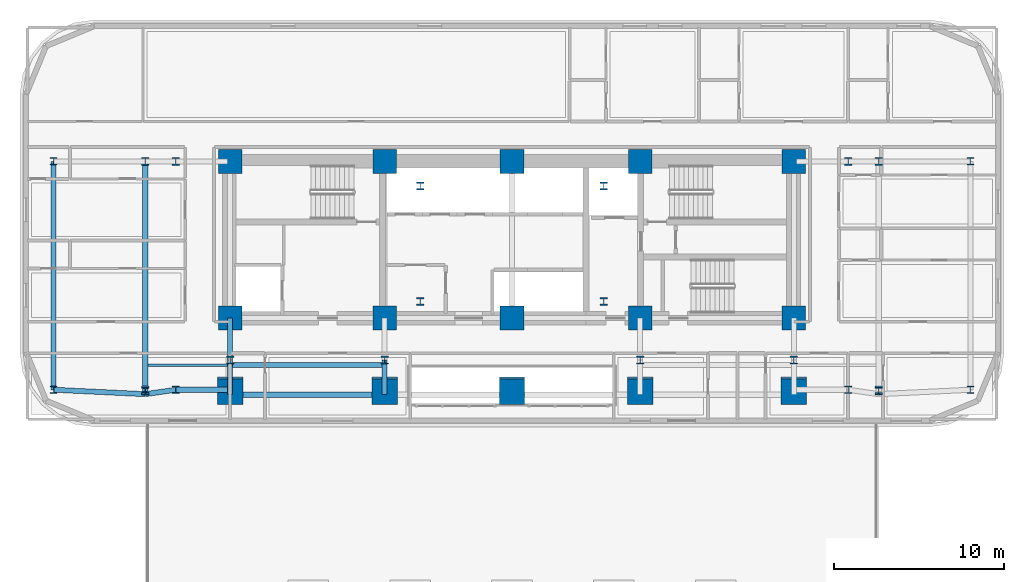
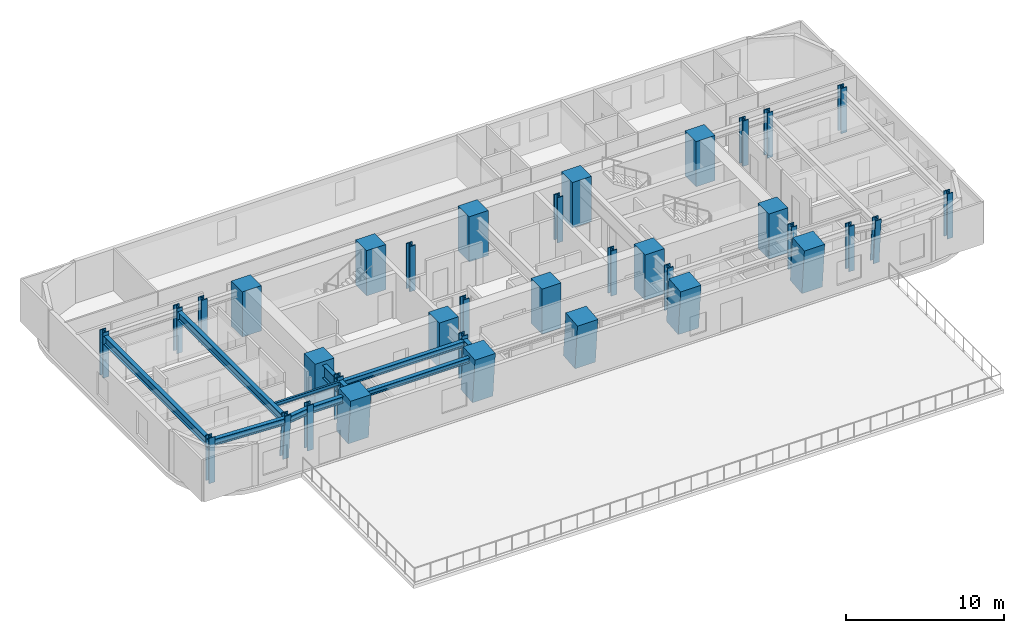
# One storey, part 1 of 15: 35 columns, 11 beams.
"""IFC4 building model written with IfcOpenShell, lengths in metres."""

from ifc_helpers import new_model, si_unit, direction, frame, origin, origin_2d, place, context, subcontext, project, spatial, rectangle, i_section, extrude, material, material_profile, profile_set, type_object, element, save


model = new_model("IFC4")

# Units and contexts
model_context = context("Model", 3, precision=1e-05, world=origin(), true_north=direction((0.0, 1.0)))
body_context = subcontext(model_context, "Body", "Model", "MODEL_VIEW")
ifc_project = project(units=[si_unit("LENGTHUNIT", "METRE"), si_unit("AREAUNIT", "SQUARE_METRE"), si_unit("VOLUMEUNIT", "CUBIC_METRE"), si_unit("PLANEANGLEUNIT", "RADIAN"), si_unit("MASSUNIT", "GRAM", prefix="KILO")], contexts=[model_context])

# Site, building, storey
site_placement = place(None, origin())
site = spatial("IfcSite", under=ifc_project, at=site_placement, CompositionType="ELEMENT")
building_placement = place(site_placement, origin())
building = spatial("IfcBuilding", under=site, at=building_placement, Name="Zarnavel Station Tower", CompositionType="ELEMENT")
storey_placement = place(building_placement, frame((0.0, 0.0, 29.0)))
storey = spatial("IfcBuildingStorey", under=building, at=storey_placement, Name="L07", CompositionType="ELEMENT", Elevation=29.0)

# Columns
ifc_material_1 = material(Name="Steel S460M", Category="steel")
ifc_material_profile_1 = material_profile(ifc_material_1, i_section(OverallWidth=0.424072265625, OverallDepth=0.449951171875, WebThickness=0.041015625, FlangeThickness=0.06494140625, FilletRadius=0.014892578125, at=origin_2d()), Name="HD400x509")
ifc_profile_set_1 = profile_set([ifc_material_profile_1], Name="Steel S460M")
column_type_1 = type_object("IfcColumnType", Name="EC_HD509", PredefinedType="COLUMN", material=ifc_profile_set_1)
for number, where, z_axis, x_axis, name in (
    (1, (1.800048828125, 23.60009765625, 0.0), (0.0, 0.0, 1.0), (1.0, 0.0, 0.0), "L07 Outer Wing South Column 1"),
    (2, (1.800048828125, 37.050048828125, 0.0), (0.0, 0.0, 1.0), (1.0, 0.0, 0.0), "L07 Outer Wing North Column 1"),
):
    element("IfcColumn", number, at=place(storey_placement, frame(where, z_axis=z_axis, x_axis=x_axis)), inside=storey, type_object=column_type_1, Name=name, PredefinedType="COLUMN", context=body_context, shape_type="SweptSolid", body=[
        extrude(i_section(OverallWidth=0.424072265625, OverallDepth=0.449951171875, WebThickness=0.041015625, FlangeThickness=0.06494140625, FilletRadius=0.014892578125, at=origin_2d()), origin(), (0.0, 0.0, 1.0), 3.5),
    ])
for number, where, z_axis, x_axis, name in (
    (3, (7.199951171875, 23.599609375, 0.00390625), (0.0, -0.079842055422, 0.996807527152), (1.0, 0.0, 0.0), "L07 Raked Wing Column 2"),
    (4, (50.39990234375, 23.599609375, 0.00390625), (0.0, -0.079842055422, 0.996807527152), (1.0, 0.0, 0.0), "L07 Raked Wing Column 3"),
):
    element("IfcColumn", number, at=place(storey_placement, frame(where, z_axis=z_axis, x_axis=x_axis)), inside=storey, type_object=column_type_1, Name=name, PredefinedType="COLUMN", context=body_context, shape_type="SweptSolid", body=[
        extrude(i_section(OverallWidth=0.424072265625, OverallDepth=0.449951171875, WebThickness=0.041015625, FlangeThickness=0.06494140625, FilletRadius=0.014892578125, at=origin_2d()), origin(), (0.0, 0.0, 1.0), 3.50732421875),
    ])
for number, where, z_axis, x_axis, name in (
    (5, (55.800048828125, 23.60009765625, 0.0), (0.0, 0.0, 1.0), (1.0, 0.0, 0.0), "L07 Outer Wing South Column 4"),
    (6, (55.800048828125, 37.050048828125, 0.0), (0.0, 0.0, 1.0), (1.0, 0.0, 0.0), "L07 Outer Wing North Column 4"),
):
    element("IfcColumn", number, at=place(storey_placement, frame(where, z_axis=z_axis, x_axis=x_axis)), inside=storey, type_object=column_type_1, Name=name, PredefinedType="COLUMN", context=body_context, shape_type="SweptSolid", body=[
        extrude(i_section(OverallWidth=0.424072265625, OverallDepth=0.449951171875, WebThickness=0.041015625, FlangeThickness=0.06494140625, FilletRadius=0.014892578125, at=origin_2d()), origin(), (0.0, 0.0, 1.0), 3.5),
    ])
ifc_material_2 = material(Name="Steel S460M", Category="steel")
ifc_material_profile_2 = material_profile(ifc_material_2, i_section(OverallWidth=0.427978515625, OverallDepth=0.465087890625, WebThickness=0.044921875, FlangeThickness=0.072998046875, FilletRadius=0.014892578125, at=origin_2d()), Name="HD400x592")
ifc_profile_set_2 = profile_set([ifc_material_profile_2], Name="Steel S460M")
column_type_2 = type_object("IfcColumnType", Name="IC_HD592", PredefinedType="COLUMN", material=ifc_profile_set_2)
for number, where, z_axis, x_axis, name in (
    (7, (23.39990234375, 28.800048828125, 0.0), (0.0, 0.0, 1.0), (1.0, 0.0, 0.0), "L07 Mast Spine Column 1"),
    (8, (34.199951171875, 28.800048828125, 0.0), (0.0, 0.0, 1.0), (1.0, 0.0, 0.0), "L07 Mast Spine Column 2"),
    (9, (34.199951171875, 35.60009765625, 0.0), (0.0, 0.0, 1.0), (1.0, 0.0, 0.0), "L07 Mast Spine Column 3"),
    (10, (23.39990234375, 35.60009765625, 0.0), (0.0, 0.0, 1.0), (1.0, 0.0, 0.0), "L07 Mast Spine Column 4"),
    (11, (12.199951171875, 25.35009765625, 0.0), (0.0, 0.0, 1.0), (1.0, 0.0, 0.0), "L07 Inner Spine Column 1"),
    (12, (21.300048828125, 25.35009765625, 0.0), (0.0, 0.0, 1.0), (1.0, 0.0, 0.0), "L07 Inner Spine Column 2"),
    (13, (36.35009765625, 25.35009765625, 0.0), (0.0, 0.0, 1.0), (1.0, 0.0, 0.0), "L07 Inner Spine Column 4"),
    (14, (45.39990234375, 25.35009765625, 0.0), (0.0, 0.0, 1.0), (1.0, 0.0, 0.0), "L07 Inner Spine Column 5"),
    (15, (9.0, 23.60009765625, 0.0), (0.0, 0.0, 1.0), (1.0, 0.0, 0.0), "L07 Inner Wing Spine Column 1-1"),
    (16, (9.0, 37.050048828125, 0.0), (0.0, 0.0, 1.0), (1.0, 0.0, 0.0), "L07 Inner Wing Spine Column 1-2"),
    (17, (48.60009765625, 23.60009765625, 0.0), (0.0, 0.0, 1.0), (1.0, 0.0, 0.0), "L07 Inner Wing Spine Column 2-1"),
    (18, (48.60009765625, 37.050048828125, 0.0), (0.0, 0.0, 1.0), (1.0, 0.0, 0.0), "L07 Inner Wing Spine Column 2-2"),
    (19, (7.199951171875, 37.050048828125, 0.0), (0.0, 0.0, 1.0), (1.0, 0.0, 0.0), "L07 Outer Wing North Column 2"),
    (20, (50.39990234375, 37.050048828125, 0.0), (0.0, 0.0, 1.0), (1.0, 0.0, 0.0), "L07 Outer Wing North Column 3"),
):
    element("IfcColumn", number, at=place(storey_placement, frame(where, z_axis=z_axis, x_axis=x_axis)), inside=storey, type_object=column_type_2, Name=name, PredefinedType="COLUMN", context=body_context, shape_type="SweptSolid", body=[
        extrude(i_section(OverallWidth=0.427978515625, OverallDepth=0.465087890625, WebThickness=0.044921875, FlangeThickness=0.072998046875, FilletRadius=0.014892578125, at=origin_2d()), origin(), (0.0, 0.0, 1.0), 3.5),
    ])
ifc_material_3 = material(Name="Concrete C60/75", Category="concrete")
ifc_material_profile_3 = material_profile(ifc_material_3, rectangle(XDim=1.39990234375, YDim=1.39990234375, at=origin_2d()), Name="RC1400x1400")
ifc_profile_set_3 = profile_set([ifc_material_profile_3], Name="Concrete C60/75")
column_type_3 = type_object("IfcColumnType", Name="IC_RC1400", PredefinedType="COLUMN", material=ifc_profile_set_3)
for number, where, z_axis, x_axis, name in (
    (21, (12.199951171875, 27.820068359375, 0.0), (0.0, 0.0, 1.0), (1.0, 0.0, 0.0), "L07 Core Spine Column 1-1"),
    (22, (12.199951171875, 37.050048828125, 0.0), (0.0, 0.0, 1.0), (1.0, 0.0, 0.0), "L07 Core Spine Column 1-2"),
    (23, (21.300048828125, 27.820068359375, 0.0), (0.0, 0.0, 1.0), (1.0, 0.0, 0.0), "L07 Core Spine Column 2-1"),
    (24, (21.300048828125, 37.050048828125, 0.0), (0.0, 0.0, 1.0), (1.0, 0.0, 0.0), "L07 Core Spine Column 2-2"),
    (25, (28.800048828125, 27.820068359375, 0.0), (0.0, 0.0, 1.0), (1.0, 0.0, 0.0), "L07 Core Spine Column 3-1"),
    (26, (28.800048828125, 37.050048828125, 0.0), (0.0, 0.0, 1.0), (1.0, 0.0, 0.0), "L07 Core Spine Column 3-2"),
    (27, (36.35009765625, 27.820068359375, 0.0), (0.0, 0.0, 1.0), (1.0, 0.0, 0.0), "L07 Core Spine Column 4-1"),
    (28, (36.35009765625, 37.050048828125, 0.0), (0.0, 0.0, 1.0), (1.0, 0.0, 0.0), "L07 Core Spine Column 4-2"),
    (29, (45.39990234375, 27.820068359375, 0.0), (0.0, 0.0, 1.0), (1.0, 0.0, 0.0), "L07 Core Spine Column 5-1"),
    (30, (45.39990234375, 37.050048828125, 0.0), (0.0, 0.0, 1.0), (1.0, 0.0, 0.0), "L07 Core Spine Column 5-2"),
):
    element("IfcColumn", number, at=place(storey_placement, frame(where, z_axis=z_axis, x_axis=x_axis)), inside=storey, type_object=column_type_3, Name=name, PredefinedType="COLUMN", context=body_context, shape_type="SweptSolid", body=[
        extrude(rectangle(XDim=1.39990234375, YDim=1.39990234375, at=origin_2d()), origin(), (0.0, 0.0, 1.0), 3.5),
    ])
ifc_material_4 = material(Name="Concrete C60/75", Category="concrete")
ifc_material_profile_4 = material_profile(ifc_material_4, rectangle(XDim=1.5, YDim=1.5, at=origin_2d()), Name="RC1500x1500")
ifc_profile_set_4 = profile_set([ifc_material_profile_4], Name="Concrete C60/75")
column_type_4 = type_object("IfcColumnType", Name="MC_RC1500", PredefinedType="COLUMN", material=ifc_profile_set_4)
for number, where, z_axis, x_axis, name in (
    (31, (12.199951171875, 23.599609375, 0.00390625), (0.0, -0.090272375291, 0.995917114151), (1.0, 0.0, 0.0), "L07 Raked South Mega-Column 1"),
    (32, (21.300048828125, 23.599609375, 0.00390625), (0.0, -0.090272375291, 0.995917114151), (1.0, 0.0, 0.0), "L07 Raked South Mega-Column 2"),
    (33, (28.800048828125, 23.599609375, 0.00390625), (0.0, -0.090272375291, 0.995917114151), (1.0, 0.0, 0.0), "L07 Raked South Mega-Column 3"),
    (34, (36.35009765625, 23.599609375, 0.00390625), (0.0, -0.090272375291, 0.995917114151), (1.0, 0.0, 0.0), "L07 Raked South Mega-Column 4"),
    (35, (45.39990234375, 23.599609375, 0.00390625), (0.0, -0.090272375291, 0.995917114151), (1.0, 0.0, 0.0), "L07 Raked South Mega-Column 5"),
):
    element("IfcColumn", number, at=place(storey_placement, frame(where, z_axis=z_axis, x_axis=x_axis)), inside=storey, type_object=column_type_4, Name=name, PredefinedType="COLUMN", context=body_context, shape_type="SweptSolid", body=[
        extrude(rectangle(XDim=1.5, YDim=1.5, at=origin_2d()), origin(), (0.0, 0.0, 1.0), 3.510498046875),
    ])

# Beams
ifc_material_5 = material(Name="Steel S355J2", Category="steel")
ifc_material_profile_5 = material_profile(ifc_material_5, i_section(OverallWidth=0.300048828125, OverallDepth=0.39990234375, WebThickness=0.013427734375, FlangeThickness=0.02392578125, FilletRadius=0.027099609375, at=origin_2d()), Name="HEB400")
ifc_profile_set_5 = profile_set([ifc_material_profile_5], Name="Steel S355J2")
beam_type_1 = type_object("IfcBeamType", Name="EB_HEB400", PredefinedType="SPANDREL", material=ifc_profile_set_5)
beam_1_placement = place(storey_placement, frame((12.199951171875, 23.306396484375, 3.0400390625), z_axis=(1.0, 0.0, 0.0), x_axis=(0.0, 1.0, 0.0)))
element("IfcBeam", 36, at=beam_1_placement, inside=storey, type_object=beam_type_1, Name="L07 South Raked Spandrel 1", PredefinedType="SPANDREL", context=body_context, shape_type="SweptSolid", body=[
    extrude(i_section(OverallWidth=0.300048828125, OverallDepth=0.39990234375, WebThickness=0.013427734375, FlangeThickness=0.02392578125, FilletRadius=0.027099609375, at=origin_2d()), origin(), (0.0, 0.0, 1.0), 9.10009765625),
])
ifc_material_6 = material(Name="Steel S355J2", Category="steel")
ifc_material_profile_6 = material_profile(ifc_material_6, i_section(OverallWidth=0.300048828125, OverallDepth=0.43994140625, WebThickness=0.011474609375, FlangeThickness=0.02099609375, FilletRadius=0.027099609375, at=origin_2d()), Name="HEA450")
ifc_profile_set_6 = profile_set([ifc_material_profile_6], Name="Steel S355J2")
beam_type_2 = type_object("IfcBeamType", Name="FB_HEA450", PredefinedType="BEAM", material=ifc_profile_set_6)
beam_2_placement = place(storey_placement, frame((12.344970703125, 25.052001953125, 3.02001953125), z_axis=(1.0, 0.0, 0.0), x_axis=(0.0, 1.0, 0.0)))
element("IfcBeam", 37, at=beam_2_placement, inside=storey, type_object=beam_type_2, Name="L07 West Bay Beam 2", PredefinedType="BEAM", context=body_context, shape_type="SweptSolid", body=[
    extrude(i_section(OverallWidth=0.300048828125, OverallDepth=0.43994140625, WebThickness=0.011474609375, FlangeThickness=0.02099609375, FilletRadius=0.027099609375, at=origin_2d()), origin(), (0.0, 0.0, 1.0), 8.81005859375),
])
ifc_material_7 = material(Name="Steel S355J2", Category="steel")
ifc_material_profile_7 = material_profile(ifc_material_7, i_section(OverallWidth=0.300048828125, OverallDepth=0.5, WebThickness=0.014404296875, FlangeThickness=0.028076171875, FilletRadius=0.027099609375, at=origin_2d()), Name="HEB500")
ifc_profile_set_7 = profile_set([ifc_material_profile_7], Name="Steel S355J2")
beam_type_3 = type_object("IfcBeamType", Name="FG_HEB500", PredefinedType="USERDEFINED", material=ifc_profile_set_7)
beam_3_placement = place(storey_placement, frame((1.800048828125, 23.60009765625, 2.989990234375), z_axis=(0.998844929256, -0.048050049947, 0.0), x_axis=(0.048050049947, 0.998844929256, 0.0)))
element("IfcBeam", 38, at=beam_3_placement, inside=storey, type_object=beam_type_3, Name="L07 West Wing South Tie 1", ObjectType="GIRDER", PredefinedType="USERDEFINED", context=body_context, shape_type="SweptSolid", body=[
    extrude(i_section(OverallWidth=0.300048828125, OverallDepth=0.5, WebThickness=0.014404296875, FlangeThickness=0.028076171875, FilletRadius=0.027099609375, at=origin_2d()), origin(), (0.0, 0.0, 1.0), 5.40625),
])
beam_4_placement = place(storey_placement, frame((7.199951171875, 23.34033203125, 2.989990234375), z_axis=(0.989747131104, 0.142830726637, 0.0), x_axis=(-0.142830726637, 0.989747131104, 0.0)))
element("IfcBeam", 39, at=beam_4_placement, inside=storey, type_object=beam_type_3, Name="L07 West Wing South Tie 2", ObjectType="GIRDER", PredefinedType="USERDEFINED", context=body_context, shape_type="SweptSolid", body=[
    extrude(i_section(OverallWidth=0.300048828125, OverallDepth=0.5, WebThickness=0.014404296875, FlangeThickness=0.028076171875, FilletRadius=0.027099609375, at=origin_2d()), origin(), (0.0, 0.0, 1.0), 1.818603515625),
])
beam_5_placement = place(storey_placement, frame((9.0, 23.60009765625, 2.989990234375), z_axis=(1.0, 0.0, 0.0), x_axis=(0.0, 1.0, 0.0)))
element("IfcBeam", 40, at=beam_5_placement, inside=storey, type_object=beam_type_3, Name="L07 West Wing South Tie 3", ObjectType="GIRDER", PredefinedType="USERDEFINED", context=body_context, shape_type="SweptSolid", body=[
    extrude(i_section(OverallWidth=0.300048828125, OverallDepth=0.5, WebThickness=0.014404296875, FlangeThickness=0.028076171875, FilletRadius=0.027099609375, at=origin_2d()), origin(), (0.0, 0.0, 1.0), 3.054931640625),
])
ifc_material_8 = material(Name="Steel S355J2", Category="steel")
ifc_material_profile_8 = material_profile(ifc_material_8, i_section(OverallWidth=0.300048828125, OverallDepth=0.64990234375, WebThickness=0.01611328125, FlangeThickness=0.031005859375, FilletRadius=0.027099609375, at=origin_2d()), Name="HEB650")
ifc_profile_set_8 = profile_set([ifc_material_profile_8], Name="Steel S355J2")
beam_type_4 = type_object("IfcBeamType", Name="FG_HEB650", PredefinedType="USERDEFINED", material=ifc_profile_set_8)
beam_6_placement = place(storey_placement, frame((1.800048828125, 23.60009765625, 2.9150390625), z_axis=(0.0, 1.0, 0.0), x_axis=(-1.0, 0.0, 0.0)))
element("IfcBeam", 41, at=beam_6_placement, inside=storey, type_object=beam_type_4, Name="L07 Wing NS Girder 1", ObjectType="GIRDER", PredefinedType="USERDEFINED", context=body_context, shape_type="SweptSolid", body=[
    extrude(i_section(OverallWidth=0.300048828125, OverallDepth=0.64990234375, WebThickness=0.01611328125, FlangeThickness=0.031005859375, FilletRadius=0.027099609375, at=origin_2d()), origin(), (0.0, 0.0, 1.0), 13.449951171875),
])
beam_7_placement = place(storey_placement, frame((7.199951171875, 23.34033203125, 2.9150390625), z_axis=(0.0, 1.0, 0.0), x_axis=(-1.0, 0.0, 0.0)))
element("IfcBeam", 42, at=beam_7_placement, inside=storey, type_object=beam_type_4, Name="L07 Wing NS Girder 2", ObjectType="GIRDER", PredefinedType="USERDEFINED", context=body_context, shape_type="SweptSolid", body=[
    extrude(i_section(OverallWidth=0.300048828125, OverallDepth=0.64990234375, WebThickness=0.01611328125, FlangeThickness=0.031005859375, FilletRadius=0.027099609375, at=origin_2d()), origin(), (0.0, 0.0, 1.0), 13.709716796875),
])
ifc_material_9 = material(Name="Steel S355J2", Category="steel")
ifc_material_profile_9 = material_profile(ifc_material_9, i_section(OverallWidth=0.14990234375, OverallDepth=0.300048828125, WebThickness=0.007080078125, FlangeThickness=0.0107421875, FilletRadius=0.014892578125, at=origin_2d()), Name="IPE300")
ifc_profile_set_9 = profile_set([ifc_material_profile_9], Name="Steel S355J2")
beam_type_5 = type_object("IfcBeamType", Name="FJ_IPE300", PredefinedType="JOIST", material=ifc_profile_set_9)
beam_8_placement = place(storey_placement, frame((7.344970703125, 25.052001953125, 3.090087890625), z_axis=(1.0, 0.0, 0.0), x_axis=(0.0, 1.0, 0.0)))
element("IfcBeam", 43, at=beam_8_placement, inside=storey, type_object=beam_type_5, Name="L07 West Wing Joist 2", PredefinedType="JOIST", context=body_context, shape_type="SweptSolid", body=[
    extrude(i_section(OverallWidth=0.14990234375, OverallDepth=0.300048828125, WebThickness=0.007080078125, FlangeThickness=0.0107421875, FilletRadius=0.014892578125, at=origin_2d()), origin(), (0.0, 0.0, 1.0), 4.7099609375),
])
ifc_material_10 = material(Name="Steel S460M", Category="steel")
ifc_material_profile_10 = material_profile(ifc_material_10, i_section(OverallWidth=0.302001953125, OverallDepth=1.008056640625, WebThickness=0.02099609375, FlangeThickness=0.0400390625, FilletRadius=0.030029296875, at=origin_2d()), Name="HEM1000")
ifc_profile_set_10 = profile_set([ifc_material_profile_10], Name="Steel S460M")
beam_type_6 = type_object("IfcBeamType", Name="TG_HEM1000", PredefinedType="USERDEFINED", material=ifc_profile_set_10)
beam_9_placement = place(storey_placement, frame((12.199951171875, 23.306396484375, 2.736083984375), z_axis=(0.0, 1.0, 0.0), x_axis=(-1.0, 0.0, 0.0)))
element("IfcBeam", 44, at=beam_9_placement, inside=storey, type_object=beam_type_6, Name="L07 South-Zone NS Girder 1", ObjectType="GIRDER", PredefinedType="USERDEFINED", context=body_context, shape_type="SweptSolid", body=[
    extrude(i_section(OverallWidth=0.302001953125, OverallDepth=1.008056640625, WebThickness=0.02099609375, FlangeThickness=0.0400390625, FilletRadius=0.030029296875, at=origin_2d()), origin(), (0.0, 0.0, 1.0), 2.043701171875),
])
beam_10_placement = place(storey_placement, frame((12.199951171875, 25.35009765625, 2.736083984375), z_axis=(0.0, 1.0, 0.0), x_axis=(-1.0, 0.0, 0.0)))
element("IfcBeam", 45, at=beam_10_placement, inside=storey, type_object=beam_type_6, Name="L07 Inner-Zone NS Girder 1", ObjectType="GIRDER", PredefinedType="USERDEFINED", context=body_context, shape_type="SweptSolid", body=[
    extrude(i_section(OverallWidth=0.302001953125, OverallDepth=1.008056640625, WebThickness=0.02099609375, FlangeThickness=0.0400390625, FilletRadius=0.030029296875, at=origin_2d()), origin(), (0.0, 0.0, 1.0), 2.469970703125),
])
beam_11_placement = place(storey_placement, frame((21.300048828125, 23.306396484375, 2.736083984375), z_axis=(0.0, 1.0, 0.0), x_axis=(-1.0, 0.0, 0.0)))
element("IfcBeam", 46, at=beam_11_placement, inside=storey, type_object=beam_type_6, Name="L07 South-Zone NS Girder 2", ObjectType="GIRDER", PredefinedType="USERDEFINED", context=body_context, shape_type="SweptSolid", body=[
    extrude(i_section(OverallWidth=0.302001953125, OverallDepth=1.008056640625, WebThickness=0.02099609375, FlangeThickness=0.0400390625, FilletRadius=0.030029296875, at=origin_2d()), origin(), (0.0, 0.0, 1.0), 2.043701171875),
])

save(model, "model.ifc")
